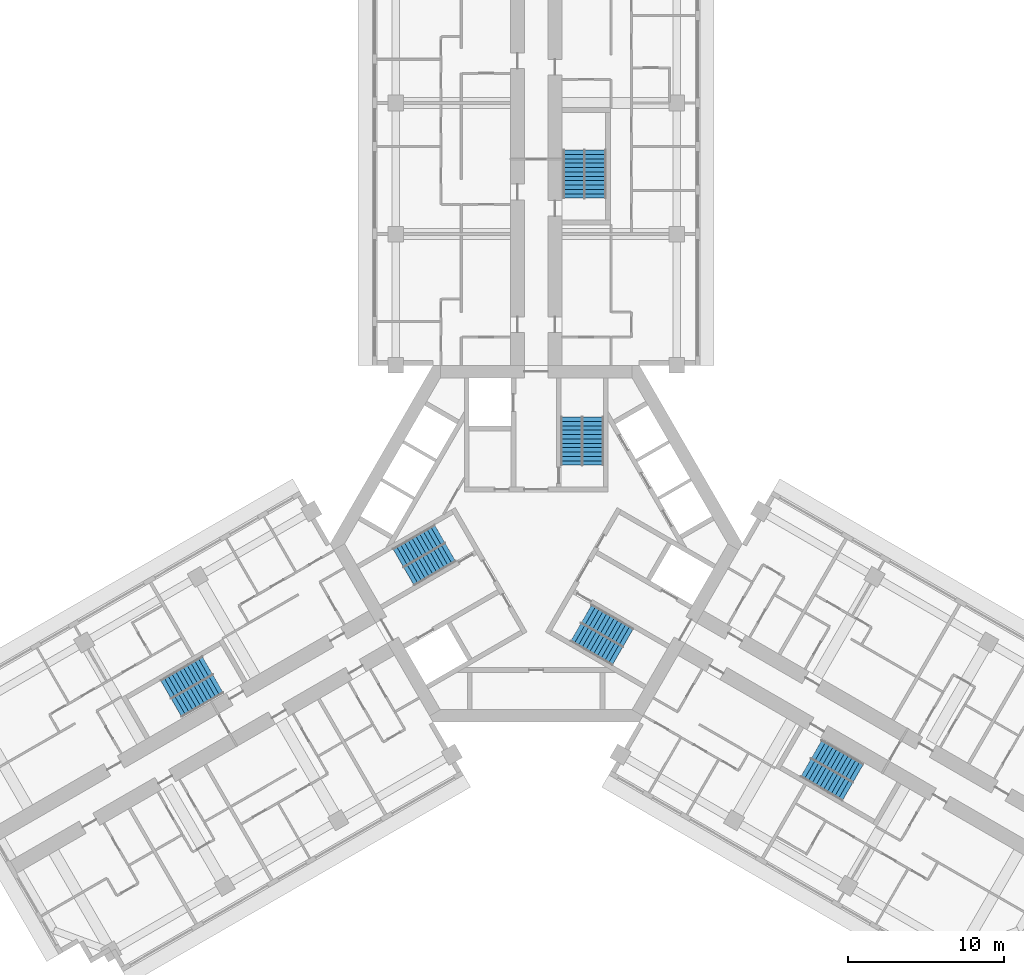
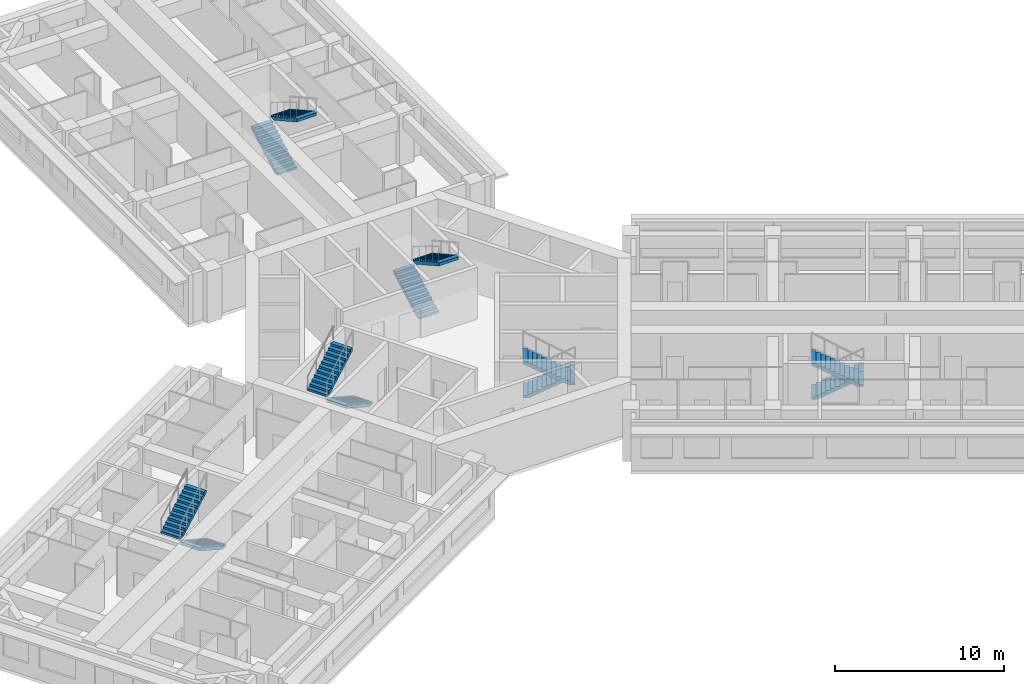
# One storey, part 12 of 14: 12 stair flights, 6 elements without a shape of their own.
"""IFC4 building model written with IfcOpenShell, lengths in metres."""

from ifc_helpers import new_model, si_unit, direction, frame, origin, place, context, subcontext, project, spatial, polyline, outline, extrude, material, type_object, element, aggregate, save


model = new_model("IFC4")

# Units and contexts
model_context = context("Model", 3, precision=1e-05, world=origin(), true_north=direction((0.0, 1.0)))
body_context = subcontext(model_context, "Body", "Model", "MODEL_VIEW")
ifc_project = project(units=[si_unit("LENGTHUNIT", "METRE"), si_unit("AREAUNIT", "SQUARE_METRE"), si_unit("VOLUMEUNIT", "CUBIC_METRE"), si_unit("PLANEANGLEUNIT", "RADIAN"), si_unit("MASSUNIT", "GRAM", prefix="KILO")], contexts=[model_context])

# Site, building, storey
site_placement = place(None, origin())
site = spatial("IfcSite", under=ifc_project, at=site_placement, CompositionType="ELEMENT")
building_placement = place(site_placement, origin())
building = spatial("IfcBuilding", under=site, at=building_placement, Name="Impinga Residences", CompositionType="ELEMENT")
storey_placement = place(building_placement, frame((0.0, 0.0, 158.5)))
storey = spatial("IfcBuildingStorey", under=building, at=storey_placement, Name="L39", CompositionType="ELEMENT", Elevation=158.5)

# Stair, stair flights
ifc_material = material(Name="Concrete C40/50", Category="concrete")
stair_type_1 = type_object("IfcStairType", Name="STR core stair 3750 storey, 24 risers", PredefinedType="HALF_TURN_STAIR", material=ifc_material)
stair_1_placement = place(storey_placement, origin())
stair_1 = element("IfcStair", 1, at=stair_1_placement, inside=storey, type_object=stair_type_1, Name="Stair ST1 L39", PredefinedType="HALF_TURN_STAIR")
stair_flight_type = type_object("IfcStairFlightType", Name="SF 12 risers of 156", PredefinedType="STRAIGHT", material=ifc_material)
stair_flight_1_placement = place(storey_placement, frame((2.27490234375, 5.030029296875, 0.0), z_axis=(0.0, 0.0, 1.0), x_axis=(0.0, 1.0, 0.0)))
stair_flight_1 = element("IfcStairFlight", 2, at=stair_flight_1_placement, type_object=stair_flight_type, Name="ST1 flight 1", NumberOfRisers=12, NumberOfTreads=11, PredefinedType="STRAIGHT", RiserHeight=0.15625, TreadLength=0.28, context=body_context, shape_type="SweptSolid", body=[
    extrude(outline(polyline([(0.0, 0.0), (0.0, 0.15625), (0.280029296875, 0.15625), (0.280029296875, 0.3125), (0.56005859375, 0.3125), (0.56005859375, 0.46875), (0.840087890625, 0.46875), (0.840087890625, 0.625), (1.1201171875, 0.625), (1.1201171875, 0.78125), (1.39990234375, 0.78125), (1.39990234375, 0.9375), (1.679931640625, 0.9375), (1.679931640625, 1.09375), (1.9599609375, 1.09375), (1.9599609375, 1.25), (2.239990234375, 1.25), (2.239990234375, 1.40625), (2.52001953125, 1.40625), (2.52001953125, 1.5625), (2.800048828125, 1.5625), (2.800048828125, 1.71875), (3.080078125, 1.71875), (3.080078125, 1.875), (3.080078125, 1.5126953125), (0.369140625, 0.0), (0.0, 0.0)])), frame((0.0, 0.675048828125, 0.0), z_axis=(0.0, -1.0, 0.0), x_axis=(1.0, 0.0, 0.0)), (0.0, 0.0, 1.0), 1.35009765625),
])
stair_flight_2_placement = place(storey_placement, frame((3.625, 8.110107421875, 1.875), z_axis=(0.0, 0.0, 1.0), x_axis=(0.0, -1.0, 0.0)))
stair_flight_2 = element("IfcStairFlight", 3, at=stair_flight_2_placement, type_object=stair_flight_type, Name="ST1 flight 2", NumberOfRisers=12, NumberOfTreads=11, PredefinedType="STRAIGHT", RiserHeight=0.15625, TreadLength=0.28, context=body_context, shape_type="SweptSolid", body=[
    extrude(outline(polyline([(0.0, 0.0), (0.0, 0.15625), (0.280029296875, 0.15625), (0.280029296875, 0.3125), (0.56005859375, 0.3125), (0.56005859375, 0.46875), (0.840087890625, 0.46875), (0.840087890625, 0.625), (1.1201171875, 0.625), (1.1201171875, 0.78125), (1.39990234375, 0.78125), (1.39990234375, 0.9375), (1.679931640625, 0.9375), (1.679931640625, 1.09375), (1.9599609375, 1.09375), (1.9599609375, 1.25), (2.239990234375, 1.25), (2.239990234375, 1.40625), (2.52001953125, 1.40625), (2.52001953125, 1.5625), (2.800048828125, 1.5625), (2.800048828125, 1.71875), (3.080078125, 1.71875), (3.080078125, 1.875), (3.080078125, 1.5126953125), (0.369140625, 0.0), (0.0, 0.0)])), frame((0.0, 0.675048828125, 0.0), z_axis=(0.0, -1.0, 0.0), x_axis=(1.0, 0.0, 0.0)), (0.0, 0.0, 1.0), 1.35009765625),
])
aggregate(stair_1, [stair_flight_1, stair_flight_2])

stair_2_placement = place(storey_placement, origin())
stair_2 = element("IfcStair", 4, at=stair_2_placement, inside=storey, type_object=stair_type_1, Name="Stair ST2 L39", PredefinedType="HALF_TURN_STAIR")
stair_flight_3_placement = place(storey_placement, frame((-5.49365234375, -0.544677734375, 0.0), z_axis=(0.0, 0.0, 1.0), x_axis=(-0.866025403784, -0.5, 0.0)))
stair_flight_3 = element("IfcStairFlight", 5, at=stair_flight_3_placement, type_object=stair_flight_type, Name="ST2 flight 1", NumberOfRisers=12, NumberOfTreads=11, PredefinedType="STRAIGHT", RiserHeight=0.15625, TreadLength=0.28, context=body_context, shape_type="SweptSolid", body=[
    extrude(outline(polyline([(0.0, 0.0), (0.0, 0.15625), (0.280029296875, 0.15625), (0.280029296875, 0.3125), (0.56005859375, 0.3125), (0.56005859375, 0.46875), (0.840087890625, 0.46875), (0.840087890625, 0.625), (1.1201171875, 0.625), (1.1201171875, 0.78125), (1.39990234375, 0.78125), (1.39990234375, 0.9375), (1.679931640625, 0.9375), (1.679931640625, 1.09375), (1.9599609375, 1.09375), (1.9599609375, 1.25), (2.239990234375, 1.25), (2.239990234375, 1.40625), (2.52001953125, 1.40625), (2.52001953125, 1.5625), (2.800048828125, 1.5625), (2.800048828125, 1.71875), (3.080078125, 1.71875), (3.080078125, 1.875), (3.080078125, 1.5126953125), (0.369140625, 0.0), (0.0, 0.0)])), frame((0.0, 0.675048828125, 0.0), z_axis=(0.0, -1.0, 0.0), x_axis=(1.0, 0.0, 0.0)), (0.0, 0.0, 1.0), 1.35009765625),
])
stair_flight_4_placement = place(storey_placement, frame((-8.8359375, -0.915771484375, 1.875), z_axis=(0.0, 0.0, 1.0), x_axis=(0.866025403784, 0.5, 0.0)))
stair_flight_4 = element("IfcStairFlight", 6, at=stair_flight_4_placement, type_object=stair_flight_type, Name="ST2 flight 2", NumberOfRisers=12, NumberOfTreads=11, PredefinedType="STRAIGHT", RiserHeight=0.15625, TreadLength=0.28, context=body_context, shape_type="SweptSolid", body=[
    extrude(outline(polyline([(0.0, 0.0), (0.0, 0.15625), (0.280029296875, 0.15625), (0.280029296875, 0.3125), (0.56005859375, 0.3125), (0.56005859375, 0.46875), (0.840087890625, 0.46875), (0.840087890625, 0.625), (1.1201171875, 0.625), (1.1201171875, 0.78125), (1.39990234375, 0.78125), (1.39990234375, 0.9375), (1.679931640625, 0.9375), (1.679931640625, 1.09375), (1.9599609375, 1.09375), (1.9599609375, 1.25), (2.239990234375, 1.25), (2.239990234375, 1.40625), (2.52001953125, 1.40625), (2.52001953125, 1.5625), (2.800048828125, 1.5625), (2.800048828125, 1.71875), (3.080078125, 1.71875), (3.080078125, 1.875), (3.080078125, 1.5126953125), (0.369140625, 0.0), (0.0, 0.0)])), frame((0.0, 0.675048828125, 0.0), z_axis=(0.0, -1.0, 0.0), x_axis=(1.0, 0.0, 0.0)), (0.0, 0.0, 1.0), 1.35009765625),
])
aggregate(stair_2, [stair_flight_3, stair_flight_4])

stair_3_placement = place(storey_placement, origin())
stair_3 = element("IfcStair", 7, at=stair_3_placement, inside=storey, type_object=stair_type_1, Name="Stair ST3 L39", PredefinedType="HALF_TURN_STAIR")
stair_flight_5_placement = place(storey_placement, frame((3.218505859375, -4.485107421875, 0.0), z_axis=(0.0, 0.0, 1.0), x_axis=(0.866025403784, -0.5, 0.0)))
stair_flight_5 = element("IfcStairFlight", 8, at=stair_flight_5_placement, type_object=stair_flight_type, Name="ST3 flight 1", NumberOfRisers=12, NumberOfTreads=11, PredefinedType="STRAIGHT", RiserHeight=0.15625, TreadLength=0.28, context=body_context, shape_type="SweptSolid", body=[
    extrude(outline(polyline([(0.0, 0.0), (0.0, 0.15625), (0.280029296875, 0.15625), (0.280029296875, 0.3125), (0.56005859375, 0.3125), (0.56005859375, 0.46875), (0.840087890625, 0.46875), (0.840087890625, 0.625), (1.1201171875, 0.625), (1.1201171875, 0.78125), (1.39990234375, 0.78125), (1.39990234375, 0.9375), (1.679931640625, 0.9375), (1.679931640625, 1.09375), (1.9599609375, 1.09375), (1.9599609375, 1.25), (2.239990234375, 1.25), (2.239990234375, 1.40625), (2.52001953125, 1.40625), (2.52001953125, 1.5625), (2.800048828125, 1.5625), (2.800048828125, 1.71875), (3.080078125, 1.71875), (3.080078125, 1.875), (3.080078125, 1.5126953125), (0.369140625, 0.0), (0.0, 0.0)])), frame((0.0, 0.675048828125, 0.0), z_axis=(0.0, -1.0, 0.0), x_axis=(1.0, 0.0, 0.0)), (0.0, 0.0, 1.0), 1.35009765625),
])
stair_flight_6_placement = place(storey_placement, frame((5.2109375, -7.1943359375, 1.875), z_axis=(0.0, 0.0, 1.0), x_axis=(-0.866025403784, 0.5, 0.0)))
stair_flight_6 = element("IfcStairFlight", 9, at=stair_flight_6_placement, type_object=stair_flight_type, Name="ST3 flight 2", NumberOfRisers=12, NumberOfTreads=11, PredefinedType="STRAIGHT", RiserHeight=0.15625, TreadLength=0.28, context=body_context, shape_type="SweptSolid", body=[
    extrude(outline(polyline([(0.0, 0.0), (0.0, 0.15625), (0.280029296875, 0.15625), (0.280029296875, 0.3125), (0.56005859375, 0.3125), (0.56005859375, 0.46875), (0.840087890625, 0.46875), (0.840087890625, 0.625), (1.1201171875, 0.625), (1.1201171875, 0.78125), (1.39990234375, 0.78125), (1.39990234375, 0.9375), (1.679931640625, 0.9375), (1.679931640625, 1.09375), (1.9599609375, 1.09375), (1.9599609375, 1.25), (2.239990234375, 1.25), (2.239990234375, 1.40625), (2.52001953125, 1.40625), (2.52001953125, 1.5625), (2.800048828125, 1.5625), (2.800048828125, 1.71875), (3.080078125, 1.71875), (3.080078125, 1.875), (3.080078125, 1.5126953125), (0.369140625, 0.0), (0.0, 0.0)])), frame((0.0, 0.675048828125, 0.0), z_axis=(0.0, -1.0, 0.0), x_axis=(1.0, 0.0, 0.0)), (0.0, 0.0, 1.0), 1.35009765625),
])
aggregate(stair_3, [stair_flight_5, stair_flight_6])

stair_type_2 = type_object("IfcStairType", Name="STR wing stair 3750 storey, 24 risers", PredefinedType="HALF_TURN_STAIR", material=ifc_material)
stair_4_placement = place(storey_placement, origin())
stair_4 = element("IfcStair", 10, at=stair_4_placement, inside=storey, type_object=stair_type_2, Name="Stair WS1 L39", PredefinedType="HALF_TURN_STAIR")
stair_flight_7_placement = place(storey_placement, frame((2.425048828125, 22.131591796875, 0.0), z_axis=(0.0, 0.0, 1.0), x_axis=(0.0, 1.0, 0.0)))
stair_flight_7 = element("IfcStairFlight", 11, at=stair_flight_7_placement, type_object=stair_flight_type, Name="WS1 flight 1", NumberOfRisers=12, NumberOfTreads=11, PredefinedType="STRAIGHT", RiserHeight=0.15625, TreadLength=0.28, context=body_context, shape_type="SweptSolid", body=[
    extrude(outline(polyline([(0.0, 0.0), (0.0, 0.15625), (0.280029296875, 0.15625), (0.280029296875, 0.3125), (0.56005859375, 0.3125), (0.56005859375, 0.46875), (0.840087890625, 0.46875), (0.840087890625, 0.625), (1.1201171875, 0.625), (1.1201171875, 0.78125), (1.39990234375, 0.78125), (1.39990234375, 0.9375), (1.679931640625, 0.9375), (1.679931640625, 1.09375), (1.9599609375, 1.09375), (1.9599609375, 1.25), (2.239990234375, 1.25), (2.239990234375, 1.40625), (2.52001953125, 1.40625), (2.52001953125, 1.5625), (2.800048828125, 1.5625), (2.800048828125, 1.71875), (3.080078125, 1.71875), (3.080078125, 1.875), (3.080078125, 1.5126953125), (0.369140625, 0.0), (0.0, 0.0)])), frame((0.0, 0.675048828125, 0.0), z_axis=(0.0, -1.0, 0.0), x_axis=(1.0, 0.0, 0.0)), (0.0, 0.0, 1.0), 1.35009765625),
])
stair_flight_8_placement = place(storey_placement, frame((3.77490234375, 25.21142578125, 1.875), z_axis=(0.0, 0.0, 1.0), x_axis=(0.0, -1.0, 0.0)))
stair_flight_8 = element("IfcStairFlight", 12, at=stair_flight_8_placement, type_object=stair_flight_type, Name="WS1 flight 2", NumberOfRisers=12, NumberOfTreads=11, PredefinedType="STRAIGHT", RiserHeight=0.15625, TreadLength=0.28, context=body_context, shape_type="SweptSolid", body=[
    extrude(outline(polyline([(0.0, 0.0), (0.0, 0.15625), (0.280029296875, 0.15625), (0.280029296875, 0.3125), (0.56005859375, 0.3125), (0.56005859375, 0.46875), (0.840087890625, 0.46875), (0.840087890625, 0.625), (1.1201171875, 0.625), (1.1201171875, 0.78125), (1.39990234375, 0.78125), (1.39990234375, 0.9375), (1.679931640625, 0.9375), (1.679931640625, 1.09375), (1.9599609375, 1.09375), (1.9599609375, 1.25), (2.239990234375, 1.25), (2.239990234375, 1.40625), (2.52001953125, 1.40625), (2.52001953125, 1.5625), (2.800048828125, 1.5625), (2.800048828125, 1.71875), (3.080078125, 1.71875), (3.080078125, 1.875), (3.080078125, 1.5126953125), (0.369140625, 0.0), (0.0, 0.0)])), frame((0.0, 0.675048828125, 0.0), z_axis=(0.0, -1.0, 0.0), x_axis=(1.0, 0.0, 0.0)), (0.0, 0.0, 1.0), 1.35009765625),
])
aggregate(stair_4, [stair_flight_7, stair_flight_8])

stair_5_placement = place(storey_placement, origin())
stair_5 = element("IfcStair", 13, at=stair_5_placement, inside=storey, type_object=stair_type_2, Name="Stair WS2 L39", PredefinedType="HALF_TURN_STAIR")
stair_flight_9_placement = place(storey_placement, frame((-20.37890625, -8.965576171875, 0.0), z_axis=(0.0, 0.0, 1.0), x_axis=(-0.866025403784, -0.5, 0.0)))
stair_flight_9 = element("IfcStairFlight", 14, at=stair_flight_9_placement, type_object=stair_flight_type, Name="WS2 flight 1", NumberOfRisers=12, NumberOfTreads=11, PredefinedType="STRAIGHT", RiserHeight=0.15625, TreadLength=0.28, context=body_context, shape_type="SweptSolid", body=[
    extrude(outline(polyline([(0.0, 0.0), (0.0, 0.15625), (0.280029296875, 0.15625), (0.280029296875, 0.3125), (0.56005859375, 0.3125), (0.56005859375, 0.46875), (0.840087890625, 0.46875), (0.840087890625, 0.625), (1.1201171875, 0.625), (1.1201171875, 0.78125), (1.39990234375, 0.78125), (1.39990234375, 0.9375), (1.679931640625, 0.9375), (1.679931640625, 1.09375), (1.9599609375, 1.09375), (1.9599609375, 1.25), (2.239990234375, 1.25), (2.239990234375, 1.40625), (2.52001953125, 1.40625), (2.52001953125, 1.5625), (2.800048828125, 1.5625), (2.800048828125, 1.71875), (3.080078125, 1.71875), (3.080078125, 1.875), (3.080078125, 1.5126953125), (0.369140625, 0.0), (0.0, 0.0)])), frame((0.0, 0.675048828125, 0.0), z_axis=(0.0, -1.0, 0.0), x_axis=(1.0, 0.0, 0.0)), (0.0, 0.0, 1.0), 1.35009765625),
])
stair_flight_10_placement = place(storey_placement, frame((-23.721435546875, -9.33642578125, 1.875), z_axis=(0.0, 0.0, 1.0), x_axis=(0.866025403784, 0.5, 0.0)))
stair_flight_10 = element("IfcStairFlight", 15, at=stair_flight_10_placement, type_object=stair_flight_type, Name="WS2 flight 2", NumberOfRisers=12, NumberOfTreads=11, PredefinedType="STRAIGHT", RiserHeight=0.15625, TreadLength=0.28, context=body_context, shape_type="SweptSolid", body=[
    extrude(outline(polyline([(0.0, 0.0), (0.0, 0.15625), (0.280029296875, 0.15625), (0.280029296875, 0.3125), (0.56005859375, 0.3125), (0.56005859375, 0.46875), (0.840087890625, 0.46875), (0.840087890625, 0.625), (1.1201171875, 0.625), (1.1201171875, 0.78125), (1.39990234375, 0.78125), (1.39990234375, 0.9375), (1.679931640625, 0.9375), (1.679931640625, 1.09375), (1.9599609375, 1.09375), (1.9599609375, 1.25), (2.239990234375, 1.25), (2.239990234375, 1.40625), (2.52001953125, 1.40625), (2.52001953125, 1.5625), (2.800048828125, 1.5625), (2.800048828125, 1.71875), (3.080078125, 1.71875), (3.080078125, 1.875), (3.080078125, 1.5126953125), (0.369140625, 0.0), (0.0, 0.0)])), frame((0.0, 0.675048828125, 0.0), z_axis=(0.0, -1.0, 0.0), x_axis=(1.0, 0.0, 0.0)), (0.0, 0.0, 1.0), 1.35009765625),
])
aggregate(stair_5, [stair_flight_9, stair_flight_10])

stair_6_placement = place(storey_placement, origin())
stair_6 = element("IfcStair", 16, at=stair_6_placement, inside=storey, type_object=stair_type_2, Name="Stair WS3 L39", PredefinedType="HALF_TURN_STAIR")
stair_flight_11_placement = place(storey_placement, frame((17.953857421875, -13.165771484375, 0.0), z_axis=(0.0, 0.0, 1.0), x_axis=(0.866025403784, -0.5, 0.0)))
stair_flight_11 = element("IfcStairFlight", 17, at=stair_flight_11_placement, type_object=stair_flight_type, Name="WS3 flight 1", NumberOfRisers=12, NumberOfTreads=11, PredefinedType="STRAIGHT", RiserHeight=0.15625, TreadLength=0.28, context=body_context, shape_type="SweptSolid", body=[
    extrude(outline(polyline([(0.0, 0.0), (0.0, 0.15625), (0.280029296875, 0.15625), (0.280029296875, 0.3125), (0.56005859375, 0.3125), (0.56005859375, 0.46875), (0.840087890625, 0.46875), (0.840087890625, 0.625), (1.1201171875, 0.625), (1.1201171875, 0.78125), (1.39990234375, 0.78125), (1.39990234375, 0.9375), (1.679931640625, 0.9375), (1.679931640625, 1.09375), (1.9599609375, 1.09375), (1.9599609375, 1.25), (2.239990234375, 1.25), (2.239990234375, 1.40625), (2.52001953125, 1.40625), (2.52001953125, 1.5625), (2.800048828125, 1.5625), (2.800048828125, 1.71875), (3.080078125, 1.71875), (3.080078125, 1.875), (3.080078125, 1.5126953125), (0.369140625, 0.0), (0.0, 0.0)])), frame((0.0, 0.675048828125, 0.0), z_axis=(0.0, -1.0, 0.0), x_axis=(1.0, 0.0, 0.0)), (0.0, 0.0, 1.0), 1.35009765625),
])
stair_flight_12_placement = place(storey_placement, frame((19.9462890625, -15.875, 1.875), z_axis=(0.0, 0.0, 1.0), x_axis=(-0.866025403784, 0.5, 0.0)))
stair_flight_12 = element("IfcStairFlight", 18, at=stair_flight_12_placement, type_object=stair_flight_type, Name="WS3 flight 2", NumberOfRisers=12, NumberOfTreads=11, PredefinedType="STRAIGHT", RiserHeight=0.15625, TreadLength=0.28, context=body_context, shape_type="SweptSolid", body=[
    extrude(outline(polyline([(0.0, 0.0), (0.0, 0.15625), (0.280029296875, 0.15625), (0.280029296875, 0.3125), (0.56005859375, 0.3125), (0.56005859375, 0.46875), (0.840087890625, 0.46875), (0.840087890625, 0.625), (1.1201171875, 0.625), (1.1201171875, 0.78125), (1.39990234375, 0.78125), (1.39990234375, 0.9375), (1.679931640625, 0.9375), (1.679931640625, 1.09375), (1.9599609375, 1.09375), (1.9599609375, 1.25), (2.239990234375, 1.25), (2.239990234375, 1.40625), (2.52001953125, 1.40625), (2.52001953125, 1.5625), (2.800048828125, 1.5625), (2.800048828125, 1.71875), (3.080078125, 1.71875), (3.080078125, 1.875), (3.080078125, 1.5126953125), (0.369140625, 0.0), (0.0, 0.0)])), frame((0.0, 0.675048828125, 0.0), z_axis=(0.0, -1.0, 0.0), x_axis=(1.0, 0.0, 0.0)), (0.0, 0.0, 1.0), 1.35009765625),
])
aggregate(stair_6, [stair_flight_11, stair_flight_12])

save(model, "model.ifc")
